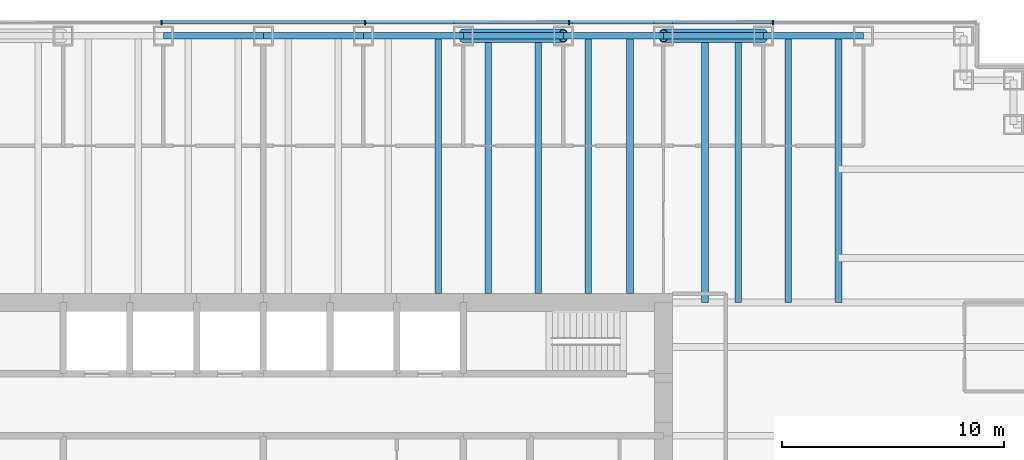
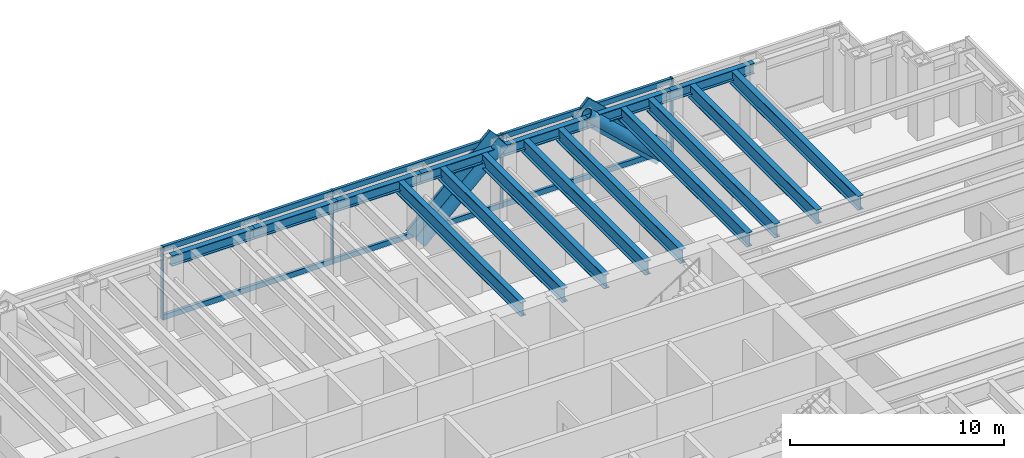
# One storey, part 6 of 17: 16 beams, 14 members, 1 element without a shape of its own.
"""IFC4 building model written with IfcOpenShell, lengths in metres."""

from ifc_helpers import new_model, si_unit, direction, frame, origin, origin_2d, place, context, subcontext, project, spatial, rectangle, hollow_circle, i_section, extrude, material, material_profile, profile_set, type_object, element, aggregate, save


model = new_model("IFC4")

# Units and contexts
model_context = context("Model", 3, precision=1e-05, world=origin(), true_north=direction((0.0, 1.0)))
body_context = subcontext(model_context, "Body", "Model", "MODEL_VIEW")
ifc_project = project(units=[si_unit("LENGTHUNIT", "METRE"), si_unit("AREAUNIT", "SQUARE_METRE"), si_unit("VOLUMEUNIT", "CUBIC_METRE"), si_unit("PLANEANGLEUNIT", "RADIAN"), si_unit("MASSUNIT", "GRAM", prefix="KILO")], contexts=[model_context])

# Site, building, storey
site_placement = place(None, origin())
site = spatial("IfcSite", under=ifc_project, at=site_placement, CompositionType="ELEMENT")
building_placement = place(site_placement, origin())
building = spatial("IfcBuilding", under=site, at=building_placement, Name="Rheinbord Bourse Tower", CompositionType="ELEMENT")
storey_placement = place(building_placement, frame((0.0, 0.0, 223.60009765625)))
storey = spatial("IfcBuildingStorey", under=building, at=storey_placement, Name="L50", CompositionType="ELEMENT", Elevation=223.60009765625)

# Curtain wall, members
ifc_material_1 = material(Name="Dark glass and black aluminium", Category="aluminium")
curtain_wall_type = type_object("IfcCurtainWallType", Name="CW2 DARK GLASS CURTAIN WALL", PredefinedType="USERDEFINED", material=ifc_material_1)
curtain_wall_placement = place(storey_placement, origin())
curtain_wall = element("IfcCurtainWall", 1, at=curtain_wall_placement, inside=storey, type_object=curtain_wall_type, Name="Curtain wall CW2 N L50", ObjectType="UNITISED CURTAIN WALL", PredefinedType="USERDEFINED")
ifc_material_2 = material(Name="Black anodised aluminium", Category="aluminium")
ifc_material_profile_1 = material_profile(ifc_material_2, rectangle(XDim=0.159912109375, YDim=1.2099609375, at=origin_2d()), Name="CW2 DIAGONAL MULLION 1210x160")
ifc_profile_set_1 = profile_set([ifc_material_profile_1], Name="Black anodised aluminium")
member_type_1 = type_object("IfcMemberType", Name="CW2 BLACK DIAGONAL MULLION", PredefinedType="USERDEFINED", material=ifc_profile_set_1)
member_1_placement = place(storey_placement, frame((45.0, 44.60009765625, 0.0), z_axis=(0.73105922506, 0.0, 0.682314010889), x_axis=(0.0, 1.0, 0.0)))
member_1 = element("IfcMember", 2, at=member_1_placement, type_object=member_type_1, Name="CW2 diagonal mullion b", ObjectType="DIAGONAL MULLION", PredefinedType="USERDEFINED", context=body_context, shape_type="SweptSolid", body=[
    extrude(rectangle(XDim=0.159912109375, YDim=1.2099609375, at=origin_2d()), origin(), (0.0, 0.0, 1.0), 6.155517578125),
])
member_2_placement = place(storey_placement, frame((58.5, 44.60009765625, 0.0), z_axis=(-0.73105922506, 0.0, 0.682314010889), x_axis=(0.0, -1.0, 0.0)))
member_2 = element("IfcMember", 3, at=member_2_placement, type_object=member_type_1, Name="CW2 diagonal mullion d", ObjectType="DIAGONAL MULLION", PredefinedType="USERDEFINED", context=body_context, shape_type="SweptSolid", body=[
    extrude(rectangle(XDim=0.159912109375, YDim=1.2099609375, at=origin_2d()), origin(), (0.0, 0.0, 1.0), 6.155517578125),
])
ifc_material_3 = material(Name="Black anodised aluminium", Category="aluminium")
ifc_material_profile_2 = material_profile(ifc_material_3, rectangle(XDim=0.219970703125, YDim=0.070068359375, at=origin_2d()), Name="CW2 MULLION 70x220")
ifc_profile_set_2 = profile_set([ifc_material_profile_2], Name="Black anodised aluminium")
member_type_2 = type_object("IfcMemberType", Name="CW2 BLACK MULLION", PredefinedType="MULLION", material=ifc_profile_set_2)
member_3_placement = place(storey_placement, frame((58.928466796875, 44.60009765625, 0.0), z_axis=(0.0, 0.0, 1.0), x_axis=(0.0, -1.0, 0.0)))
member_3 = element("IfcMember", 4, at=member_3_placement, type_object=member_type_2, Name="CW2 mullion 2", PredefinedType="MULLION", context=body_context, shape_type="SweptSolid", body=[
    extrude(rectangle(XDim=0.219970703125, YDim=0.070068359375, at=origin_2d()), origin(), (0.0, 0.0, 1.0), 4.199951171875),
])
member_4_placement = place(storey_placement, frame((49.757080078125, 44.60009765625, 0.0), z_axis=(0.0, 0.0, 1.0), x_axis=(0.0, -1.0, 0.0)))
member_4 = element("IfcMember", 5, at=member_4_placement, type_object=member_type_2, Name="CW2 mullion 3", PredefinedType="MULLION", context=body_context, shape_type="SweptSolid", body=[
    extrude(rectangle(XDim=0.219970703125, YDim=0.070068359375, at=origin_2d()), origin(), (0.0, 0.0, 1.0), 4.199951171875),
])
member_5_placement = place(storey_placement, frame((40.585693359375, 44.60009765625, 0.0), z_axis=(0.0, 0.0, 1.0), x_axis=(0.0, -1.0, 0.0)))
member_5 = element("IfcMember", 6, at=member_5_placement, type_object=member_type_2, Name="CW2 mullion 4", PredefinedType="MULLION", context=body_context, shape_type="SweptSolid", body=[
    extrude(rectangle(XDim=0.219970703125, YDim=0.070068359375, at=origin_2d()), origin(), (0.0, 0.0, 1.0), 4.199951171875),
])
member_6_placement = place(storey_placement, frame((31.414306640625, 44.60009765625, 0.0), z_axis=(0.0, 0.0, 1.0), x_axis=(0.0, -1.0, 0.0)))
member_6 = element("IfcMember", 7, at=member_6_placement, type_object=member_type_2, Name="CW2 mullion 5", PredefinedType="MULLION", context=body_context, shape_type="SweptSolid", body=[
    extrude(rectangle(XDim=0.219970703125, YDim=0.070068359375, at=origin_2d()), origin(), (0.0, 0.0, 1.0), 4.199951171875),
])
ifc_material_4 = material(Name="Black anodised aluminium", Category="aluminium")
ifc_material_profile_3 = material_profile(ifc_material_4, rectangle(XDim=0.159912109375, YDim=0.300048828125, at=origin_2d()), Name="CW2 TRANSOM 300x160")
ifc_profile_set_3 = profile_set([ifc_material_profile_3], Name="Black anodised aluminium")
member_type_3 = type_object("IfcMemberType", Name="CW2 BLACK TRANSOM", PredefinedType="USERDEFINED", material=ifc_profile_set_3)
member_7_placement = place(storey_placement, frame((58.8935546875, 44.60009765625, 0.14990234375), z_axis=(-1.0, 0.0, 0.0), x_axis=(0.0, -1.0, 0.0)))
member_7 = element("IfcMember", 8, at=member_7_placement, type_object=member_type_3, Name="CW2 transom 2.1", ObjectType="TRANSOM", PredefinedType="USERDEFINED", context=body_context, shape_type="SweptSolid", body=[
    extrude(rectangle(XDim=0.159912109375, YDim=0.300048828125, at=origin_2d()), origin(), (0.0, 0.0, 1.0), 9.101318359375),
])
member_8_placement = place(storey_placement, frame((58.8935546875, 44.60009765625, 4.0498046875), z_axis=(-1.0, 0.0, 0.0), x_axis=(0.0, -1.0, 0.0)))
member_8 = element("IfcMember", 9, at=member_8_placement, type_object=member_type_3, Name="CW2 transom 2.2", ObjectType="TRANSOM", PredefinedType="USERDEFINED", context=body_context, shape_type="SweptSolid", body=[
    extrude(rectangle(XDim=0.159912109375, YDim=0.300048828125, at=origin_2d()), origin(), (0.0, 0.0, 1.0), 9.101318359375),
])
member_9_placement = place(storey_placement, frame((49.72216796875, 44.60009765625, 0.14990234375), z_axis=(-1.0, 0.0, 0.0), x_axis=(0.0, -1.0, 0.0)))
member_9 = element("IfcMember", 10, at=member_9_placement, type_object=member_type_3, Name="CW2 transom 3.1", ObjectType="TRANSOM", PredefinedType="USERDEFINED", context=body_context, shape_type="SweptSolid", body=[
    extrude(rectangle(XDim=0.159912109375, YDim=0.300048828125, at=origin_2d()), origin(), (0.0, 0.0, 1.0), 9.1015625),
])
member_10_placement = place(storey_placement, frame((49.72216796875, 44.60009765625, 4.0498046875), z_axis=(-1.0, 0.0, 0.0), x_axis=(0.0, -1.0, 0.0)))
member_10 = element("IfcMember", 11, at=member_10_placement, type_object=member_type_3, Name="CW2 transom 3.2", ObjectType="TRANSOM", PredefinedType="USERDEFINED", context=body_context, shape_type="SweptSolid", body=[
    extrude(rectangle(XDim=0.159912109375, YDim=0.300048828125, at=origin_2d()), origin(), (0.0, 0.0, 1.0), 9.1015625),
])
member_11_placement = place(storey_placement, frame((40.55078125, 44.60009765625, 0.14990234375), z_axis=(-1.0, 0.0, 0.0), x_axis=(0.0, -1.0, 0.0)))
member_11 = element("IfcMember", 12, at=member_11_placement, type_object=member_type_3, Name="CW2 transom 4.1", ObjectType="TRANSOM", PredefinedType="USERDEFINED", context=body_context, shape_type="SweptSolid", body=[
    extrude(rectangle(XDim=0.159912109375, YDim=0.300048828125, at=origin_2d()), origin(), (0.0, 0.0, 1.0), 9.1015625),
])
member_12_placement = place(storey_placement, frame((40.55078125, 44.60009765625, 4.0498046875), z_axis=(-1.0, 0.0, 0.0), x_axis=(0.0, -1.0, 0.0)))
member_12 = element("IfcMember", 13, at=member_12_placement, type_object=member_type_3, Name="CW2 transom 4.2", ObjectType="TRANSOM", PredefinedType="USERDEFINED", context=body_context, shape_type="SweptSolid", body=[
    extrude(rectangle(XDim=0.159912109375, YDim=0.300048828125, at=origin_2d()), origin(), (0.0, 0.0, 1.0), 9.1015625),
])
aggregate(curtain_wall, [member_3, member_4, member_5, member_6, member_7, member_8, member_9, member_10, member_11, member_12, member_1, member_2])

# Beams
ifc_material_5 = material(Name="Steel S460", Category="steel")
ifc_material_profile_4 = material_profile(ifc_material_5, i_section(OverallWidth=0.300048828125, OverallDepth=0.800048828125, WebThickness=0.017578125, FlangeThickness=0.032958984375, at=origin_2d()), Name="HEB 800")
ifc_profile_set_4 = profile_set([ifc_material_profile_4], Name="Steel S460")
beam_type_1 = type_object("IfcBeamType", Name="FLOOR BEAM HEB 800", PredefinedType="BEAM", material=ifc_profile_set_4)
for number, where, z_axis, x_axis, name in (
    (14, (43.875, 44.0, 3.639892578125), (0.0, -1.0, 0.0), (1.0, 0.0, 0.0), "Floor beam N-40.5b L51"),
    (15, (46.125, 44.0, 3.639892578125), (0.0, -1.0, 0.0), (1.0, 0.0, 0.0), "Floor beam N-45a L51"),
    (16, (48.375, 44.0, 3.639892578125), (0.0, -1.0, 0.0), (1.0, 0.0, 0.0), "Floor beam N-45b L51"),
    (17, (50.625, 44.0, 3.639892578125), (0.0, -1.0, 0.0), (1.0, 0.0, 0.0), "Floor beam N-49.5a L51"),
    (18, (52.5, 44.0, 3.639892578125), (0.0, -1.0, 0.0), (1.0, 0.0, 0.0), "Floor beam N-49.5b L51"),
):
    element("IfcBeam", number, at=place(storey_placement, frame(where, z_axis=z_axis, x_axis=x_axis)), inside=storey, type_object=beam_type_1, Name=name, PredefinedType="BEAM", context=body_context, shape_type="SweptSolid", body=[
        extrude(i_section(OverallWidth=0.300048828125, OverallDepth=0.800048828125, WebThickness=0.017578125, FlangeThickness=0.032958984375, at=origin_2d()), origin(), (0.0, 0.0, 1.0), 11.60009765625),
    ])
for number, where, z_axis, x_axis, name in (
    (19, (55.875, 44.0, 3.639892578125), (0.0, -1.0, 0.0), (1.0, 0.0, 0.0), "Floor beam N-54a L51"),
    (20, (57.375, 44.0, 3.639892578125), (0.0, -1.0, 0.0), (1.0, 0.0, 0.0), "Floor beam N-54b L51"),
    (21, (59.625, 44.0, 3.639892578125), (0.0, -1.0, 0.0), (1.0, 0.0, 0.0), "Floor beam N-58.5a L51"),
    (22, (61.875, 44.0, 3.639892578125), (0.0, -1.0, 0.0), (1.0, 0.0, 0.0), "Floor beam N-58.5b L51"),
):
    element("IfcBeam", number, at=place(storey_placement, frame(where, z_axis=z_axis, x_axis=x_axis)), inside=storey, type_object=beam_type_1, Name=name, PredefinedType="BEAM", context=body_context, shape_type="SweptSolid", body=[
        extrude(i_section(OverallWidth=0.300048828125, OverallDepth=0.800048828125, WebThickness=0.017578125, FlangeThickness=0.032958984375, at=origin_2d()), origin(), (0.0, 0.0, 1.0), 12.0),
    ])

# Members
ifc_material_6 = material(Name="Steel S460", Category="steel")
ifc_material_profile_5 = material_profile(ifc_material_6, hollow_circle(Radius=0.304931640625, WallThickness=0.0400390625, at=origin_2d()), Name="CHS 610x40")
ifc_profile_set_5 = profile_set([ifc_material_profile_5], Name="Steel S460")
member_type_4 = type_object("IfcMemberType", Name="MEGABRACE CHS 610x40", PredefinedType="BRACE", material=ifc_profile_set_5)
for number, where, z_axis, x_axis, name in (
    (23, (45.0, 44.0, 0.0), (0.73105922506, 0.0, 0.682314010889), (0.0, 1.0, 0.0), "Megabrace N face line b L50"),
    (24, (58.5, 44.0, 0.0), (-0.73105922506, 0.0, 0.682314010889), (0.0, -1.0, 0.0), "Megabrace N face line d L50"),
):
    element("IfcMember", number, at=place(storey_placement, frame(where, z_axis=z_axis, x_axis=x_axis)), inside=storey, type_object=member_type_4, Name=name, PredefinedType="BRACE", context=body_context, shape_type="SweptSolid", body=[
        extrude(hollow_circle(Radius=0.304931640625, WallThickness=0.0400390625, at=origin_2d()), origin(), (0.0, 0.0, 1.0), 6.155517578125),
    ])

# Beams
ifc_material_7 = material(Name="Steel S460", Category="steel")
ifc_material_profile_6 = material_profile(ifc_material_7, i_section(OverallWidth=0.300048828125, OverallDepth=0.60009765625, WebThickness=0.015380859375, FlangeThickness=0.030029296875, at=origin_2d()), Name="HEB 600")
ifc_profile_set_6 = profile_set([ifc_material_profile_6], Name="Steel S460")
beam_type_2 = type_object("IfcBeamType", Name="SPANDREL HEB 600", PredefinedType="SPANDREL", material=ifc_profile_set_6)
for number, where, z_axis, x_axis, name in (
    (25, (63.0, 44.0, 3.739990234375), (-1.0, 0.0, 0.0), (0.0, -1.0, 0.0), "Spandrel N-63-N-58.5 under L51"),
    (26, (58.5, 44.0, 3.739990234375), (-1.0, 0.0, 0.0), (0.0, -1.0, 0.0), "Spandrel N-58.5-N-54 under L51"),
    (27, (54.0, 44.0, 3.739990234375), (-1.0, 0.0, 0.0), (0.0, -1.0, 0.0), "Spandrel N-54-N-49.5 under L51"),
    (28, (49.5, 44.0, 3.739990234375), (-1.0, 0.0, 0.0), (0.0, -1.0, 0.0), "Spandrel N-49.5-N-45 under L51"),
    (29, (45.0, 44.0, 3.739990234375), (-1.0, 0.0, 0.0), (0.0, -1.0, 0.0), "Spandrel N-45-N-40.5 under L51"),
    (30, (40.5, 44.0, 3.739990234375), (-1.0, 0.0, 0.0), (0.0, -1.0, 0.0), "Spandrel N-40.5-N-36 under L51"),
    (31, (36.0, 44.0, 3.739990234375), (-1.0, 0.0, 0.0), (0.0, -1.0, 0.0), "Spandrel N-36-N-31.5 under L51"),
):
    element("IfcBeam", number, at=place(storey_placement, frame(where, z_axis=z_axis, x_axis=x_axis)), inside=storey, type_object=beam_type_2, Name=name, PredefinedType="SPANDREL", context=body_context, shape_type="SweptSolid", body=[
        extrude(i_section(OverallWidth=0.300048828125, OverallDepth=0.60009765625, WebThickness=0.015380859375, FlangeThickness=0.030029296875, at=origin_2d()), origin(), (0.0, 0.0, 1.0), 4.5),
    ])

save(model, "model.ifc")
